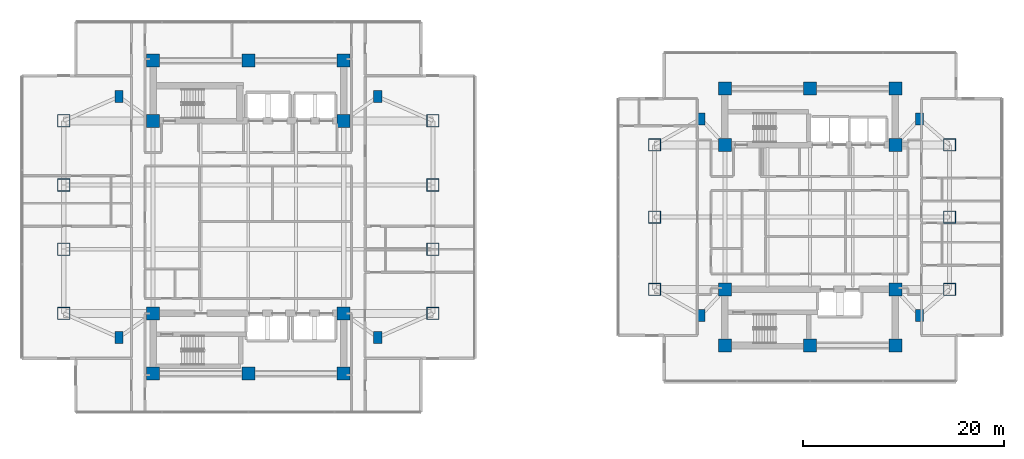
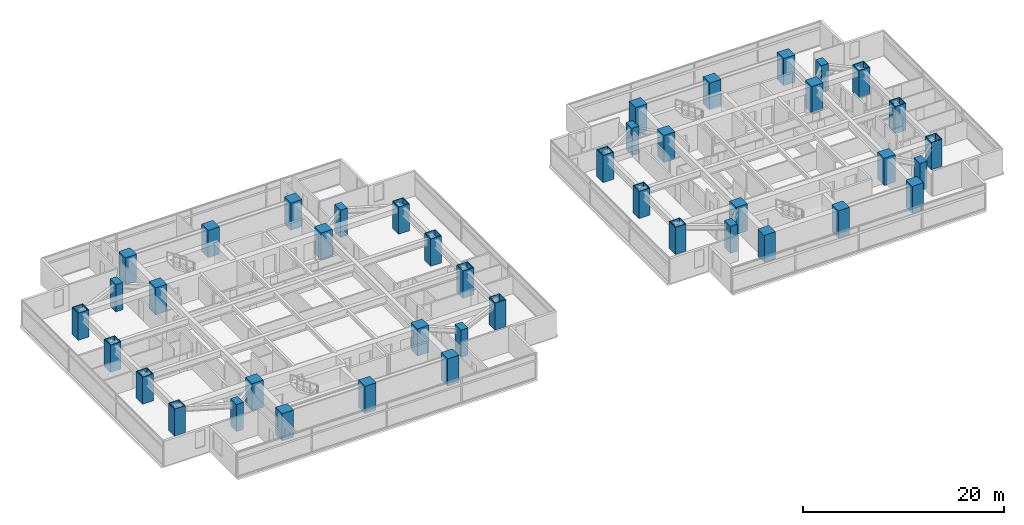
# One storey, part 1 of 27: 42 columns.
"""IFC4 building model written with IfcOpenShell, lengths in metres."""

import ifcopenshell
import ifcopenshell.guid

model = None  # the IFC model being written
_history = None  # IfcOwnerHistory: only IFC2X3 demands one
_inside = {}  # id of a spatial element -> (the spatial element, [elements in it])
_under = {}  # id of a project, library or spatial element -> (it, [spatial elements below it])
_declared = {}  # id of a project -> (the project, [libraries it declares])
_typed = {}  # id of a type object -> (the type object, [elements of that type])
_made_of = {}  # id of a material, layer set ... -> (it, [elements and type objects made of it])


def new_model(schema):
    """Start an empty IFC model of exactly this schema.

    Asked for "IFC4X3", IfcOpenShell would pick the latest addendum, in which some entities
    have other attributes; the version numbers below select the first issue.
    IFC2X3 requires an IfcOwnerHistory on every rooted entity: one is made here for all.
    """
    global model, _history
    if schema == "IFC4X3":
        model = ifcopenshell.file(schema_version=(4, 3, 0, 0))
    else:
        model = ifcopenshell.file(schema=schema)
    _inside.clear()
    _under.clear()
    _declared.clear()
    _typed.clear()
    _made_of.clear()
    _history = None
    if model.schema == "IFC2X3":
        org = make("IfcOrganization", Name="unknown")
        user = make(
            "IfcPersonAndOrganization",
            ThePerson=make("IfcPerson", FamilyName="unknown"),
            TheOrganization=org,
        )
        app = make(
            "IfcApplication",
            ApplicationDeveloper=org,
            Version="unknown",
            ApplicationFullName="unknown",
            ApplicationIdentifier="unknown",
        )
        _history = make(
            "IfcOwnerHistory",
            OwningUser=user,
            OwningApplication=app,
            ChangeAction="ADDED",
            CreationDate=0,
        )
    return model


def make(cls, **values):
    """One entity of the class cls with the attributes given. An attribute that is None is left unset."""
    return model.create_entity(
        cls, **{name: value for name, value in values.items() if value is not None}
    )


def rooted(cls, **values):
    """An entity with a GlobalId (a new one), such as an element, a storey or a relation."""
    return make(cls, GlobalId=ifcopenshell.guid.new(), OwnerHistory=_history, **values)


def si_unit(unit_type, name, prefix=None):
    """IfcSIUnit, for example si_unit("LENGTHUNIT", "METRE", prefix="MILLI")."""
    return make("IfcSIUnit", UnitType=unit_type, Prefix=prefix, Name=name)


def assignment(units):
    """IfcUnitAssignment: the units of a project."""
    return None if units is None else make("IfcUnitAssignment", Units=units)


def point(xyz):
    """IfcCartesianPoint."""
    return None if xyz is None else make("IfcCartesianPoint", Coordinates=xyz)


def direction(xyz):
    """IfcDirection."""
    return None if xyz is None else make("IfcDirection", DirectionRatios=xyz)


def frame(location, z_axis=None, x_axis=None):
    """IfcAxis2Placement3D, a coordinate frame: its origin and axes. An axis left out is left unset."""
    return make(
        "IfcAxis2Placement3D",
        Location=point(location),
        Axis=direction(z_axis),
        RefDirection=direction(x_axis),
    )


def frame_2d(location, x_axis=None):
    """IfcAxis2Placement2D, a coordinate frame in the plane: its origin and x axis."""
    return make(
        "IfcAxis2Placement2D", Location=point(location), RefDirection=direction(x_axis)
    )


def origin():
    """The frame at (0, 0, 0) with its axes left unset."""
    return frame((0.0, 0.0, 0.0))


def origin_2d():
    """The frame at (0, 0) in the plane with its x axis left unset."""
    return frame_2d((0.0, 0.0))


def place(relative_to, where):
    """IfcLocalPlacement: puts the frame where relative to a parent placement (None: the world)."""
    return make(
        "IfcLocalPlacement", PlacementRelTo=relative_to, RelativePlacement=where
    )


def context(
    kind, dimensions, precision=None, world=None, true_north=None, identifier=None
):
    """IfcGeometricRepresentationContext, for example the 3D "Model" context."""
    return make(
        "IfcGeometricRepresentationContext",
        ContextIdentifier=identifier,
        ContextType=kind,
        CoordinateSpaceDimension=dimensions,
        Precision=precision,
        WorldCoordinateSystem=world,
        TrueNorth=true_north,
    )


def subcontext(parent, identifier, kind, view, scale=None):
    """IfcGeometricRepresentationSubContext, for example "Body" below "Model"."""
    return make(
        "IfcGeometricRepresentationSubContext",
        ContextIdentifier=identifier,
        ContextType=kind,
        ParentContext=parent,
        TargetScale=scale,
        TargetView=view,
    )


def project(units=None, contexts=None):
    """IfcProject with its units and contexts."""
    return rooted(
        "IfcProject",
        Name="project",
        RepresentationContexts=contexts,
        UnitsInContext=assignment(units),
    )


def spatial(cls, under=None, at=None, **own):
    """A site, building, storey or space (cls), placed at a placement, below another one or the project."""
    s = rooted(cls, ObjectPlacement=at, **own)
    if under is not None:
        _under.setdefault(under.id(), (under, []))[1].append(s)
    return s


def profile(cls, at=None, kind="AREA", **sizes):
    """A parametric profile (cls). Its sizes go by their IFC names, for example OverallWidth=200.0."""
    return make(cls, ProfileType=kind, Position=at, **sizes)


def rectangle(**sizes):
    """IfcRectangleProfileDef."""
    return profile("IfcRectangleProfileDef", **sizes)


def hollow_rectangle(**sizes):
    """IfcRectangleHollowProfileDef."""
    return profile("IfcRectangleHollowProfileDef", **sizes)


def extrude(swept, where, along, depth):
    """IfcExtrudedAreaSolid: the profile swept, set in the frame where, extruded along a direction by depth."""
    return make(
        "IfcExtrudedAreaSolid",
        SweptArea=swept,
        Position=where,
        ExtrudedDirection=direction(along),
        Depth=depth,
    )


def shape(context_of_items, identifier, shape_type, items):
    """IfcShapeRepresentation: the items that make up one representation, for example the "Body"."""
    return make(
        "IfcShapeRepresentation",
        ContextOfItems=context_of_items,
        RepresentationIdentifier=identifier,
        RepresentationType=shape_type,
        Items=items,
    )


def material(Name=None, Category=None):
    """IfcMaterial."""
    return make("IfcMaterial", Name=Name, Category=Category)


def material_profile(
    of_material, cross_section, Name=None, Category=None, Priority=None
):
    """IfcMaterialProfile: a cross section and its material."""
    return make(
        "IfcMaterialProfile",
        Name=Name,
        Material=of_material,
        Profile=cross_section,
        Priority=Priority,
        Category=Category,
    )


def profile_set(profiles, Name=None, composite=None):
    """IfcMaterialProfileSet."""
    return make(
        "IfcMaterialProfileSet",
        Name=Name,
        MaterialProfiles=profiles,
        CompositeProfile=composite,
    )


def made_of(thing, what):
    """Note that an element or type object is made of a material, layer set ...; save() writes the relation."""
    if what is not None:
        _made_of.setdefault(what.id(), (what, []))[1].append(thing)
    return thing


def type_object(cls, material=None, **own):
    """A type object (cls), such as IfcWallType, which elements share."""
    return made_of(rooted(cls, **own), material)


def element(
    cls,
    number,
    at=None,
    inside=None,
    cuts=None,
    type_object=None,
    material=None,
    context=None,
    identifier="Body",
    shape_type=None,
    held_by="IfcProductDefinitionShape",
    body=None,
    shapes=None,
    **own,
):
    """One element of the class cls, such as IfcWall. Its Tag is "e" and its number.

    at: its placement. inside: the storey or other place that contains it. cuts: it is an
    opening in that element (IfcRelVoidsElement). A single representation is given by context,
    identifier, shape_type and body (its items); several are given by shapes. held_by: the class
    of the entity that holds the representations. save() writes the other relations.
    """
    e = rooted(cls, Tag="e%d" % number, ObjectPlacement=at, **own)
    if body is not None:
        shapes = [shape(context, identifier, shape_type, body)]
    if shapes is not None:
        e.Representation = make(held_by, Representations=shapes)
    if inside is not None:
        _inside.setdefault(inside.id(), (inside, []))[1].append(e)
    if cuts is not None:
        rooted(
            "IfcRelVoidsElement", RelatingBuildingElement=cuts, RelatedOpeningElement=e
        )
    if type_object is not None:
        _typed.setdefault(type_object.id(), (type_object, []))[1].append(e)
    return made_of(e, material)


def aggregate(whole, parts):
    """IfcRelAggregates: a whole, such as a stair, and the parts it consists of."""
    return rooted("IfcRelAggregates", RelatingObject=whole, RelatedObjects=parts)


def save(model, path):
    """Write the relations noted so far, then the file.

    IfcRelAggregates (storeys below a building ...), IfcRelContainedInSpatialStructure (elements
    in a storey), IfcRelDefinesByType, IfcRelAssociatesMaterial and IfcRelDeclares: one each for
    every whole, place, type object, material and project.
    """
    for whole, parts in _under.values():
        aggregate(whole, parts)
    for where, things in _inside.values():
        rooted(
            "IfcRelContainedInSpatialStructure",
            RelatedElements=things,
            RelatingStructure=where,
        )
    for kind, things in _typed.values():
        rooted("IfcRelDefinesByType", RelatedObjects=things, RelatingType=kind)
    for what, things in _made_of.values():
        rooted("IfcRelAssociatesMaterial", RelatedObjects=things, RelatingMaterial=what)
    for by, libraries in _declared.values():
        rooted("IfcRelDeclares", RelatingContext=by, RelatedDefinitions=libraries)
    model.write(path)


model = new_model("IFC4")

# Units and contexts
model_context = context("Model", 3, precision=1e-05, world=origin(), true_north=direction((0.0, 1.0)))
body_context = subcontext(model_context, "Body", "Model", "MODEL_VIEW")
ifc_project = project(units=[si_unit("LENGTHUNIT", "METRE"), si_unit("AREAUNIT", "SQUARE_METRE"), si_unit("VOLUMEUNIT", "CUBIC_METRE"), si_unit("PLANEANGLEUNIT", "RADIAN"), si_unit("MASSUNIT", "GRAM", prefix="KILO")], contexts=[model_context])

# Site, building, storey
site_placement = place(None, origin())
site = spatial("IfcSite", under=ifc_project, at=site_placement, CompositionType="ELEMENT")
building_placement = place(site_placement, origin())
building = spatial("IfcBuilding", under=site, at=building_placement, Name="Mirazonda Arch Towers", CompositionType="ELEMENT")
storey_placement = place(building_placement, frame((0.0, 0.0, 75.199951171875)))
storey = spatial("IfcBuildingStorey", under=building, at=storey_placement, Name="L21", CompositionType="ELEMENT", Elevation=75.199951171875)

# Columns
ifc_material_1 = material(Name="Concrete C60/75", Category="concrete")
ifc_material_profile_1 = material_profile(ifc_material_1, rectangle(XDim=1.300048828125, YDim=1.300048828125, at=origin_2d()), Name="RC1300x1300")
ifc_profile_set_1 = profile_set([ifc_material_profile_1], Name="Concrete C60/75")
column_type_1 = type_object("IfcColumnType", Name="COL-INT-RC1300x1300", PredefinedType="COLUMN", material=ifc_profile_set_1)
for number, where, z_axis, x_axis, name in (
    (1, (11.0, 12.39990234375, 0.0), (0.0, 0.0, 1.0), (1.0, 0.0, 0.0), "L21 T1 Core Column 01"),
    (2, (20.5, 12.39990234375, 0.0), (0.0, 0.0, 1.0), (1.0, 0.0, 0.0), "L21 T1 Core Column 02"),
    (3, (30.0, 12.39990234375, 0.0), (0.0, 0.0, 1.0), (1.0, 0.0, 0.0), "L21 T1 Core Column 03"),
    (4, (11.0, 18.39990234375, 0.0), (0.0, 0.0, 1.0), (1.0, 0.0, 0.0), "L21 T1 Core Column 04"),
    (5, (30.0, 18.39990234375, 0.0), (0.0, 0.0, 1.0), (1.0, 0.0, 0.0), "L21 T1 Core Column 05"),
    (6, (11.0, 37.60009765625, 0.0), (0.0, 0.0, 1.0), (1.0, 0.0, 0.0), "L21 T1 Core Column 06"),
    (7, (30.0, 37.60009765625, 0.0), (0.0, 0.0, 1.0), (1.0, 0.0, 0.0), "L21 T1 Core Column 07"),
    (8, (11.0, 43.60009765625, 0.0), (0.0, 0.0, 1.0), (1.0, 0.0, 0.0), "L21 T1 Core Column 08"),
    (9, (20.5, 43.60009765625, 0.0), (0.0, 0.0, 1.0), (1.0, 0.0, 0.0), "L21 T1 Core Column 09"),
    (10, (30.0, 43.60009765625, 0.0), (0.0, 0.0, 1.0), (1.0, 0.0, 0.0), "L21 T1 Core Column 10"),
    (11, (68.0, 15.199951171875, 0.0), (0.0, 0.0, 1.0), (1.0, 0.0, 0.0), "L21 T2 Core Column 01"),
    (12, (76.5, 15.199951171875, 0.0), (0.0, 0.0, 1.0), (1.0, 0.0, 0.0), "L21 T2 Core Column 02"),
    (13, (85.0, 15.199951171875, 0.0), (0.0, 0.0, 1.0), (1.0, 0.0, 0.0), "L21 T2 Core Column 03"),
    (14, (68.0, 20.800048828125, 0.0), (0.0, 0.0, 1.0), (1.0, 0.0, 0.0), "L21 T2 Core Column 04"),
    (15, (85.0, 20.800048828125, 0.0), (0.0, 0.0, 1.0), (1.0, 0.0, 0.0), "L21 T2 Core Column 05"),
    (16, (68.0, 35.199951171875, 0.0), (0.0, 0.0, 1.0), (1.0, 0.0, 0.0), "L21 T2 Core Column 06"),
    (17, (85.0, 35.199951171875, 0.0), (0.0, 0.0, 1.0), (1.0, 0.0, 0.0), "L21 T2 Core Column 07"),
    (18, (68.0, 40.800048828125, 0.0), (0.0, 0.0, 1.0), (1.0, 0.0, 0.0), "L21 T2 Core Column 08"),
    (19, (76.5, 40.800048828125, 0.0), (0.0, 0.0, 1.0), (1.0, 0.0, 0.0), "L21 T2 Core Column 09"),
    (20, (85.0, 40.800048828125, 0.0), (0.0, 0.0, 1.0), (1.0, 0.0, 0.0), "L21 T2 Core Column 10"),
):
    element("IfcColumn", number, at=place(storey_placement, frame(where, z_axis=z_axis, x_axis=x_axis)), inside=storey, type_object=column_type_1, Name=name, PredefinedType="COLUMN", context=body_context, shape_type="SweptSolid", body=[
        extrude(rectangle(XDim=1.300048828125, YDim=1.300048828125, at=origin_2d()), origin(), (0.0, 0.0, 1.0), 3.300048828125),
    ])
ifc_material_2 = material(Name="Steel ASTM A572 Grade 50", Category="steel")
ifc_material_profile_2 = material_profile(ifc_material_2, hollow_rectangle(XDim=1.25, YDim=1.25, WallThickness=0.070068359375, at=origin_2d()), Name="BOX1250x1250x70")
ifc_profile_set_2 = profile_set([ifc_material_profile_2], Name="Steel ASTM A572 Grade 50")
column_type_2 = type_object("IfcColumnType", Name="MCOL-EXT-BOX1250x1250x70", PredefinedType="COLUMN", material=ifc_profile_set_2)
for number, where, z_axis, x_axis, name in (
    (21, (2.10009765625, 18.39990234375, 0.0), (0.0, 0.0, 1.0), (1.0, 0.0, 0.0), "L21 T1 Composite Mega-Column 01"),
    (22, (2.10009765625, 24.800048828125, 0.0), (0.0, 0.0, 1.0), (1.0, 0.0, 0.0), "L21 T1 Composite Mega-Column 02"),
    (23, (2.10009765625, 31.199951171875, 0.0), (0.0, 0.0, 1.0), (1.0, 0.0, 0.0), "L21 T1 Composite Mega-Column 03"),
    (24, (2.10009765625, 37.60009765625, 0.0), (0.0, 0.0, 1.0), (1.0, 0.0, 0.0), "L21 T1 Composite Mega-Column 04"),
    (25, (38.89990234375, 18.39990234375, 0.0), (0.0, 0.0, 1.0), (1.0, 0.0, 0.0), "L21 T1 Composite Mega-Column 05"),
    (26, (38.89990234375, 24.800048828125, 0.0), (0.0, 0.0, 1.0), (1.0, 0.0, 0.0), "L21 T1 Composite Mega-Column 06"),
    (27, (38.89990234375, 31.199951171875, 0.0), (0.0, 0.0, 1.0), (1.0, 0.0, 0.0), "L21 T1 Composite Mega-Column 07"),
    (28, (38.89990234375, 37.60009765625, 0.0), (0.0, 0.0, 1.0), (1.0, 0.0, 0.0), "L21 T1 Composite Mega-Column 08"),
    (29, (61.0, 20.800048828125, 0.0), (0.0, 0.0, 1.0), (1.0, 0.0, 0.0), "L21 T2 Composite Mega-Column 01"),
    (30, (61.0, 28.0, 0.0), (0.0, 0.0, 1.0), (1.0, 0.0, 0.0), "L21 T2 Composite Mega-Column 02"),
    (31, (61.0, 35.199951171875, 0.0), (0.0, 0.0, 1.0), (1.0, 0.0, 0.0), "L21 T2 Composite Mega-Column 03"),
    (32, (90.39990234375, 20.800048828125, 0.0), (0.0, 0.0, 1.0), (1.0, 0.0, 0.0), "L21 T2 Composite Mega-Column 04"),
    (33, (90.39990234375, 28.0, 0.0), (0.0, 0.0, 1.0), (1.0, 0.0, 0.0), "L21 T2 Composite Mega-Column 05"),
    (34, (90.39990234375, 35.199951171875, 0.0), (0.0, 0.0, 1.0), (1.0, 0.0, 0.0), "L21 T2 Composite Mega-Column 06"),
):
    element("IfcColumn", number, at=place(storey_placement, frame(where, z_axis=z_axis, x_axis=x_axis)), inside=storey, type_object=column_type_2, Name=name, PredefinedType="COLUMN", context=body_context, shape_type="SweptSolid", body=[
        extrude(hollow_rectangle(XDim=1.25, YDim=1.25, WallThickness=0.070068359375, at=origin_2d()), origin(), (0.0, 0.0, 1.0), 3.300048828125),
    ])
ifc_material_profile_3 = material_profile(ifc_material_1, rectangle(XDim=0.800048828125, YDim=1.199951171875, at=origin_2d()), Name="RC1200x800")
ifc_profile_set_3 = profile_set([ifc_material_profile_3], Name="Concrete C60/75")
column_type_3 = type_object("IfcColumnType", Name="PIL-EXT-RC1200x800", PredefinedType="PILASTER", material=ifc_profile_set_3)
for number, where, z_axis, x_axis, name in (
    (35, (7.60009765625, 16.0, 0.0), (0.0, 0.0, 1.0), (1.0, 0.0, 0.0), "L21 T1 Corner Pilaster 01"),
    (36, (33.39990234375, 16.0, 0.0), (0.0, 0.0, 1.0), (1.0, 0.0, 0.0), "L21 T1 Corner Pilaster 02"),
    (37, (7.60009765625, 40.0, 0.0), (0.0, 0.0, 1.0), (1.0, 0.0, 0.0), "L21 T1 Corner Pilaster 03"),
    (38, (33.39990234375, 40.0, 0.0), (0.0, 0.0, 1.0), (1.0, 0.0, 0.0), "L21 T1 Corner Pilaster 04"),
    (39, (65.60009765625, 18.199951171875, 0.0), (0.0, 0.0, 1.0), (1.0, 0.0, 0.0), "L21 T2 Corner Pilaster 01"),
    (40, (87.39990234375, 18.199951171875, 0.0), (0.0, 0.0, 1.0), (1.0, 0.0, 0.0), "L21 T2 Corner Pilaster 02"),
    (41, (65.60009765625, 37.800048828125, 0.0), (0.0, 0.0, 1.0), (1.0, 0.0, 0.0), "L21 T2 Corner Pilaster 03"),
    (42, (87.39990234375, 37.800048828125, 0.0), (0.0, 0.0, 1.0), (1.0, 0.0, 0.0), "L21 T2 Corner Pilaster 04"),
):
    element("IfcColumn", number, at=place(storey_placement, frame(where, z_axis=z_axis, x_axis=x_axis)), inside=storey, type_object=column_type_3, Name=name, PredefinedType="PILASTER", context=body_context, shape_type="SweptSolid", body=[
        extrude(rectangle(XDim=0.800048828125, YDim=1.199951171875, at=origin_2d()), origin(), (0.0, 0.0, 1.0), 3.300048828125),
    ])

save(model, "model.ifc")
